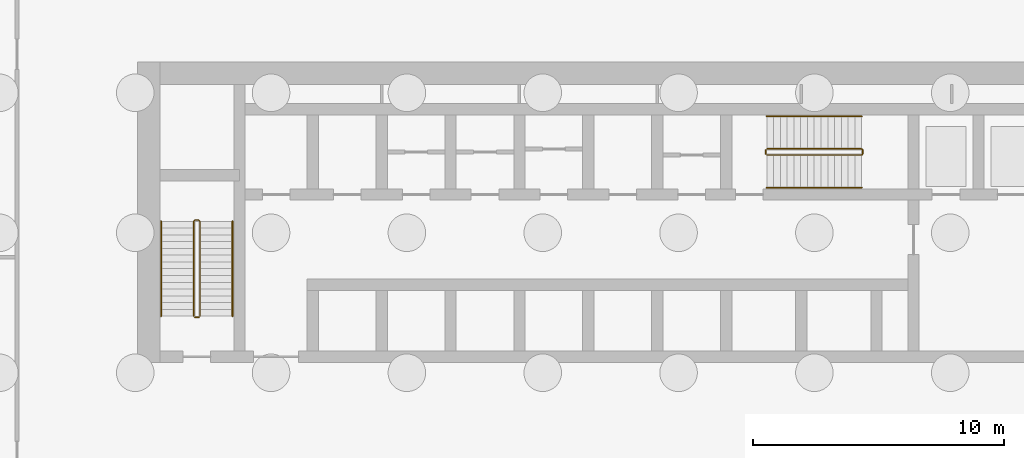
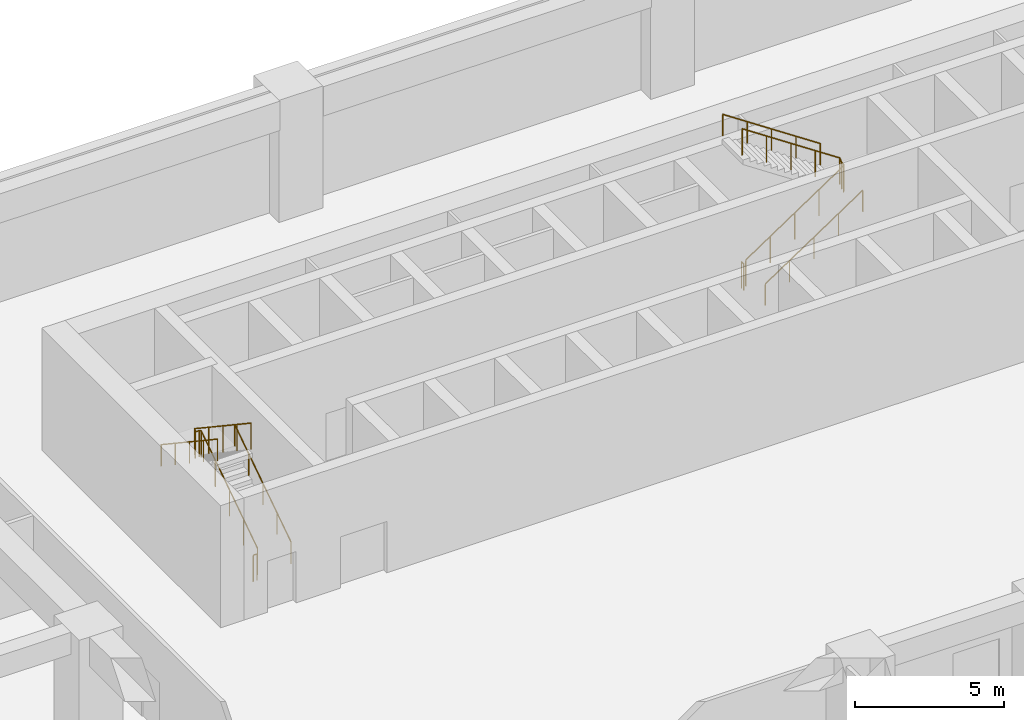
# One storey, part 18 of 20: 8 railings.
"""IFC4 building model written with IfcOpenShell, lengths in metres."""

from ifc_helpers import new_model, si_unit, direction, frame, origin, origin_2d, place, context, subcontext, project, spatial, circle, extrude, material, type_object, element, save


model = new_model("IFC4")

# Units and contexts
model_context = context("Model", 3, precision=1e-05, world=origin(), true_north=direction((0.0, 1.0)))
body_context = subcontext(model_context, "Body", "Model", "MODEL_VIEW")
ifc_project = project(units=[si_unit("LENGTHUNIT", "METRE"), si_unit("AREAUNIT", "SQUARE_METRE"), si_unit("VOLUMEUNIT", "CUBIC_METRE"), si_unit("PLANEANGLEUNIT", "RADIAN"), si_unit("MASSUNIT", "GRAM", prefix="KILO")], contexts=[model_context])

# Site, building, storey
site_placement = place(None, origin())
site = spatial("IfcSite", under=ifc_project, at=site_placement, CompositionType="ELEMENT")
building_placement = place(site_placement, origin())
building = spatial("IfcBuilding", under=site, at=building_placement, Name="Saffron Iwan Residences", CompositionType="ELEMENT")
storey_placement = place(building_placement, frame((0.0, 0.0, -5.39990234375)))
storey = spatial("IfcBuildingStorey", under=building, at=storey_placement, Name="B1", CompositionType="ELEMENT", Elevation=-5.39990234375)

# Railings
ifc_material_1 = material(Name="Steel S355", Category="steel")
railing_type_1 = type_object("IfcRailingType", Name="Stair guard 1100", PredefinedType="GUARDRAIL", material=ifc_material_1)
railing_1_placement = place(storey_placement, frame((31.300048828125, 67.85009765625, 0.179931640625)))
element("IfcRailing", 1, at=railing_1_placement, inside=storey, type_object=railing_type_1, Name="B1 ST-W stair guard 1", PredefinedType="GUARDRAIL", context=body_context, shape_type="SweptSolid", body=[
    extrude(circle(Radius=0.02392578125, at=origin_2d()), frame((0.0, 0.0, 1.076171875), z_axis=(0.0, 0.832033757966, 0.554724999982), x_axis=(-1.0, 0.0, 0.0)), (0.0, 0.0, 1.0), 4.542724609375),
    extrude(circle(Radius=0.02392578125, at=origin_2d()), frame((0.0, 3.77978515625, 3.59619140625), z_axis=(-0.707106781187, 0.707106781187, 0.0), x_axis=(-0.707106781187, -0.707106781187, 0.0)), (0.0, 0.0, 1.0), 0.07080078125),
    extrude(circle(Radius=0.02392578125, at=origin_2d()), frame((-0.050048828125, 3.829833984375, 3.59619140625), z_axis=(-1.0, 0.0, 0.0), x_axis=(0.0, -1.0, 0.0)), (0.0, 0.0, 1.0), 0.14990234375),
    extrude(circle(Radius=0.02392578125, at=origin_2d()), frame((-0.199951171875, 3.829833984375, 3.59619140625), z_axis=(-0.258847668887, -0.258847668887, 0.930588936439), x_axis=(0.707106781187, -0.707106781187, 0.0)), (0.0, 0.0, 1.0), 0.193359375),
    extrude(circle(Radius=0.02392578125, at=origin_2d()), frame((-0.25, 3.77978515625, 3.77587890625), z_axis=(0.0, -0.832033757966, 0.554724999982), x_axis=(1.0, 0.0, 0.0)), (0.0, 0.0, 1.0), 4.542724609375),
    extrude(circle(Radius=0.02099609375, at=origin_2d()), origin(), (0.0, 0.0, 1.0), 1.052001953125),
    extrude(circle(Radius=0.02099609375, at=origin_2d()), frame((0.0, 0.94482421875, 0.6298828125)), (0.0, 0.0, 1.0), 1.052001953125),
    extrude(circle(Radius=0.02099609375, at=origin_2d()), frame((0.0, 1.889892578125, 1.260009765625)), (0.0, 0.0, 1.0), 1.052001953125),
    extrude(circle(Radius=0.02099609375, at=origin_2d()), frame((0.0, 2.8349609375, 1.89013671875)), (0.0, 0.0, 1.0), 1.052001953125),
    extrude(circle(Radius=0.02099609375, at=origin_2d()), frame((0.0, 3.77978515625, 2.52001953125)), (0.0, 0.0, 1.0), 1.052001953125),
    extrude(circle(Radius=0.02099609375, at=origin_2d()), frame((-0.050048828125, 3.829833984375, 2.52001953125)), (0.0, 0.0, 1.0), 1.052001953125),
    extrude(circle(Radius=0.02099609375, at=origin_2d()), frame((-0.199951171875, 3.829833984375, 2.52001953125)), (0.0, 0.0, 1.0), 1.052001953125),
    extrude(circle(Radius=0.02099609375, at=origin_2d()), frame((-0.25, 3.77978515625, 2.699951171875)), (0.0, 0.0, 1.0), 1.052001953125),
    extrude(circle(Radius=0.02099609375, at=origin_2d()), frame((-0.25, 2.8349609375, 3.330078125)), (0.0, 0.0, 1.0), 1.052001953125),
    extrude(circle(Radius=0.02099609375, at=origin_2d()), frame((-0.25, 1.889892578125, 3.9599609375)), (0.0, 0.0, 1.0), 1.052001953125),
    extrude(circle(Radius=0.02099609375, at=origin_2d()), frame((-0.25, 0.94482421875, 4.58984375)), (0.0, 0.0, 1.0), 1.052001953125),
    extrude(circle(Radius=0.02099609375, at=origin_2d()), frame((-0.25, 0.0, 5.219970703125)), (0.0, 0.0, 1.0), 1.052001953125),
])
railing_2_placement = place(storey_placement, frame((31.25, 67.800048828125, 0.0)))
element("IfcRailing", 2, at=railing_2_placement, inside=storey, type_object=railing_type_1, Name="B1 ST-W stair guard 2", PredefinedType="GUARDRAIL", context=body_context, shape_type="SweptSolid", body=[
    extrude(circle(Radius=0.02392578125, at=origin_2d()), frame((0.0, 0.0, 1.076171875), z_axis=(-1.0, 0.0, 0.0), x_axis=(0.0, -1.0, 0.0)), (0.0, 0.0, 1.0), 0.14990234375),
    extrude(circle(Radius=0.02099609375, at=origin_2d()), origin(), (0.0, 0.0, 1.0), 1.052001953125),
    extrude(circle(Radius=0.02099609375, at=origin_2d()), frame((-0.14990234375, 0.0, 0.0)), (0.0, 0.0, 1.0), 1.052001953125),
])
railing_3_placement = place(storey_placement, frame((53.925048828125, 74.27490234375, 0.179931640625)))
element("IfcRailing", 3, at=railing_3_placement, inside=storey, type_object=railing_type_1, Name="B1 ST-C stair guard 1", PredefinedType="GUARDRAIL", context=body_context, shape_type="SweptSolid", body=[
    extrude(circle(Radius=0.02392578125, at=origin_2d()), frame((0.0, 0.0, 1.076171875), z_axis=(0.832050294338, 0.0, 0.554700196225), x_axis=(0.0, 1.0, 0.0)), (0.0, 0.0, 1.0), 4.54296875),
    extrude(circle(Radius=0.02392578125, at=origin_2d()), frame((3.780029296875, 0.0, 3.59619140625), z_axis=(0.705375805398, 0.708833529934, 0.0), x_axis=(-0.708833529934, 0.705375805398, 0.0)), (0.0, 0.0, 1.0), 0.070556640625),
    extrude(circle(Radius=0.02392578125, at=origin_2d()), frame((3.829833984375, 0.050048828125, 3.59619140625), z_axis=(0.0, 1.0, 0.0), x_axis=(-1.0, 0.0, 0.0)), (0.0, 0.0, 1.0), 0.150146484375),
    extrude(circle(Radius=0.02392578125, at=origin_2d()), frame((3.829833984375, 0.2001953125, 3.59619140625), z_axis=(-0.257753129075, 0.257753129075, 0.931196353571), x_axis=(-0.707106781187, -0.707106781187, 0.0)), (0.0, 0.0, 1.0), 0.193115234375),
    extrude(circle(Radius=0.02392578125, at=origin_2d()), frame((3.780029296875, 0.25, 3.77587890625), z_axis=(-0.832050294338, 0.0, 0.554700196225), x_axis=(0.0, -1.0, 0.0)), (0.0, 0.0, 1.0), 4.54296875),
    extrude(circle(Radius=0.02099609375, at=origin_2d()), origin(), (0.0, 0.0, 1.0), 1.052001953125),
    extrude(circle(Radius=0.02099609375, at=origin_2d()), frame((0.945068359375, 0.0, 0.6298828125)), (0.0, 0.0, 1.0), 1.052001953125),
    extrude(circle(Radius=0.02099609375, at=origin_2d()), frame((1.89013671875, 0.0, 1.260009765625)), (0.0, 0.0, 1.0), 1.052001953125),
    extrude(circle(Radius=0.02099609375, at=origin_2d()), frame((2.8349609375, 0.0, 1.89013671875)), (0.0, 0.0, 1.0), 1.052001953125),
    extrude(circle(Radius=0.02099609375, at=origin_2d()), frame((3.780029296875, 0.0, 2.52001953125)), (0.0, 0.0, 1.0), 1.052001953125),
    extrude(circle(Radius=0.02099609375, at=origin_2d()), frame((3.829833984375, 0.050048828125, 2.52001953125)), (0.0, 0.0, 1.0), 1.052001953125),
    extrude(circle(Radius=0.02099609375, at=origin_2d()), frame((3.829833984375, 0.2001953125, 2.52001953125)), (0.0, 0.0, 1.0), 1.052001953125),
    extrude(circle(Radius=0.02099609375, at=origin_2d()), frame((3.780029296875, 0.25, 2.699951171875)), (0.0, 0.0, 1.0), 1.052001953125),
    extrude(circle(Radius=0.02099609375, at=origin_2d()), frame((2.8349609375, 0.25, 3.330078125)), (0.0, 0.0, 1.0), 1.052001953125),
    extrude(circle(Radius=0.02099609375, at=origin_2d()), frame((1.89013671875, 0.25, 3.9599609375)), (0.0, 0.0, 1.0), 1.052001953125),
    extrude(circle(Radius=0.02099609375, at=origin_2d()), frame((0.945068359375, 0.25, 4.58984375)), (0.0, 0.0, 1.0), 1.052001953125),
    extrude(circle(Radius=0.02099609375, at=origin_2d()), frame((0.0, 0.25, 5.219970703125)), (0.0, 0.0, 1.0), 1.052001953125),
])
railing_4_placement = place(storey_placement, frame((53.875, 74.324951171875, 0.0)))
element("IfcRailing", 4, at=railing_4_placement, inside=storey, type_object=railing_type_1, Name="B1 ST-C stair guard 2", PredefinedType="GUARDRAIL", context=body_context, shape_type="SweptSolid", body=[
    extrude(circle(Radius=0.02392578125, at=origin_2d()), frame((0.0, 0.0, 1.076171875), z_axis=(0.0, 1.0, 0.0), x_axis=(-1.0, 0.0, 0.0)), (0.0, 0.0, 1.0), 0.150146484375),
    extrude(circle(Radius=0.02099609375, at=origin_2d()), origin(), (0.0, 0.0, 1.0), 1.052001953125),
    extrude(circle(Radius=0.02099609375, at=origin_2d()), frame((0.0, 0.150146484375, 0.0)), (0.0, 0.0, 1.0), 1.052001953125),
])
ifc_material_2 = material(Name="Stainless steel 316", Category="steel")
railing_type_2 = type_object("IfcRailingType", Name="Stair handrail 900", PredefinedType="HANDRAIL", material=ifc_material_2)
railing_5_placement = place(storey_placement, frame((32.60009765625, 67.85009765625, 0.179931640625)))
element("IfcRailing", 5, at=railing_5_placement, inside=storey, type_object=railing_type_2, Name="B1 ST-W stair handrail 1", PredefinedType="HANDRAIL", context=body_context, shape_type="SweptSolid", body=[
    extrude(circle(Radius=0.02392578125, at=origin_2d()), frame((0.0, 0.0, 0.8759765625), z_axis=(0.0, 0.832033757966, 0.554724999982), x_axis=(-1.0, 0.0, 0.0)), (0.0, 0.0, 1.0), 4.542724609375),
    extrude(circle(Radius=0.02099609375, at=origin_2d()), origin(), (0.0, 0.0, 1.0), 0.851806640625),
    extrude(circle(Radius=0.02099609375, at=origin_2d()), frame((0.0, 0.94482421875, 0.6298828125)), (0.0, 0.0, 1.0), 0.851806640625),
    extrude(circle(Radius=0.02099609375, at=origin_2d()), frame((0.0, 1.889892578125, 1.260009765625)), (0.0, 0.0, 1.0), 0.851806640625),
    extrude(circle(Radius=0.02099609375, at=origin_2d()), frame((0.0, 2.8349609375, 1.89013671875)), (0.0, 0.0, 1.0), 0.851806640625),
    extrude(circle(Radius=0.02099609375, at=origin_2d()), frame((0.0, 3.77978515625, 2.52001953125)), (0.0, 0.0, 1.0), 0.851806640625),
])
railing_6_placement = place(storey_placement, frame((29.75, 71.6298828125, 2.8798828125)))
element("IfcRailing", 6, at=railing_6_placement, inside=storey, type_object=railing_type_2, Name="B1 ST-W stair handrail 2", PredefinedType="HANDRAIL", context=body_context, shape_type="SweptSolid", body=[
    extrude(circle(Radius=0.02392578125, at=origin_2d()), frame((0.0, 0.0, 0.8759765625), z_axis=(0.0, -0.832033757966, 0.554724999982), x_axis=(1.0, 0.0, 0.0)), (0.0, 0.0, 1.0), 4.542724609375),
    extrude(circle(Radius=0.02099609375, at=origin_2d()), origin(), (0.0, 0.0, 1.0), 0.851806640625),
    extrude(circle(Radius=0.02099609375, at=origin_2d()), frame((0.0, -0.94482421875, 0.6298828125)), (0.0, 0.0, 1.0), 0.851806640625),
    extrude(circle(Radius=0.02099609375, at=origin_2d()), frame((0.0, -1.889892578125, 1.260009765625)), (0.0, 0.0, 1.0), 0.851806640625),
    extrude(circle(Radius=0.02099609375, at=origin_2d()), frame((0.0, -2.8349609375, 1.89013671875)), (0.0, 0.0, 1.0), 0.851806640625),
    extrude(circle(Radius=0.02099609375, at=origin_2d()), frame((0.0, -3.77978515625, 2.52001953125)), (0.0, 0.0, 1.0), 0.851806640625),
])
railing_7_placement = place(storey_placement, frame((53.925048828125, 72.97509765625, 0.179931640625)))
element("IfcRailing", 7, at=railing_7_placement, inside=storey, type_object=railing_type_2, Name="B1 ST-C stair handrail 1", PredefinedType="HANDRAIL", context=body_context, shape_type="SweptSolid", body=[
    extrude(circle(Radius=0.02392578125, at=origin_2d()), frame((0.0, 0.0, 0.8759765625), z_axis=(0.832050294338, 0.0, 0.554700196225), x_axis=(0.0, 1.0, 0.0)), (0.0, 0.0, 1.0), 4.54296875),
    extrude(circle(Radius=0.02099609375, at=origin_2d()), origin(), (0.0, 0.0, 1.0), 0.851806640625),
    extrude(circle(Radius=0.02099609375, at=origin_2d()), frame((0.945068359375, 0.0, 0.6298828125)), (0.0, 0.0, 1.0), 0.851806640625),
    extrude(circle(Radius=0.02099609375, at=origin_2d()), frame((1.89013671875, 0.0, 1.260009765625)), (0.0, 0.0, 1.0), 0.851806640625),
    extrude(circle(Radius=0.02099609375, at=origin_2d()), frame((2.8349609375, 0.0, 1.89013671875)), (0.0, 0.0, 1.0), 0.851806640625),
    extrude(circle(Radius=0.02099609375, at=origin_2d()), frame((3.780029296875, 0.0, 2.52001953125)), (0.0, 0.0, 1.0), 0.851806640625),
])
railing_8_placement = place(storey_placement, frame((57.705078125, 75.824951171875, 2.8798828125)))
element("IfcRailing", 8, at=railing_8_placement, inside=storey, type_object=railing_type_2, Name="B1 ST-C stair handrail 2", PredefinedType="HANDRAIL", context=body_context, shape_type="SweptSolid", body=[
    extrude(circle(Radius=0.02392578125, at=origin_2d()), frame((0.0, 0.0, 0.8759765625), z_axis=(-0.832050294338, 0.0, 0.554700196225), x_axis=(0.0, -1.0, 0.0)), (0.0, 0.0, 1.0), 4.54296875),
    extrude(circle(Radius=0.02099609375, at=origin_2d()), origin(), (0.0, 0.0, 1.0), 0.851806640625),
    extrude(circle(Radius=0.02099609375, at=origin_2d()), frame((-0.945068359375, 0.0, 0.6298828125)), (0.0, 0.0, 1.0), 0.851806640625),
    extrude(circle(Radius=0.02099609375, at=origin_2d()), frame((-1.89013671875, 0.0, 1.260009765625)), (0.0, 0.0, 1.0), 0.851806640625),
    extrude(circle(Radius=0.02099609375, at=origin_2d()), frame((-2.8349609375, 0.0, 1.89013671875)), (0.0, 0.0, 1.0), 0.851806640625),
    extrude(circle(Radius=0.02099609375, at=origin_2d()), frame((-3.780029296875, 0.0, 2.52001953125)), (0.0, 0.0, 1.0), 0.851806640625),
])

save(model, "model.ifc")
